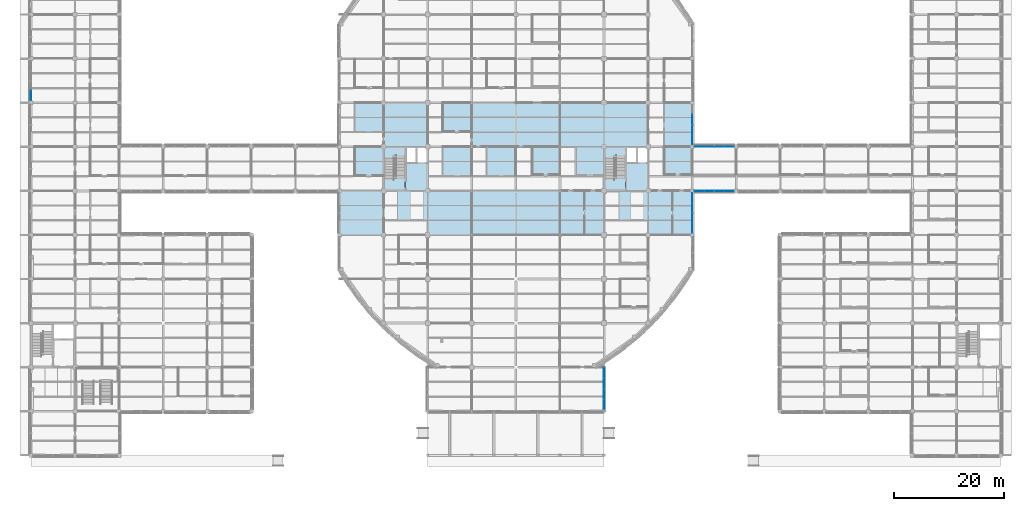
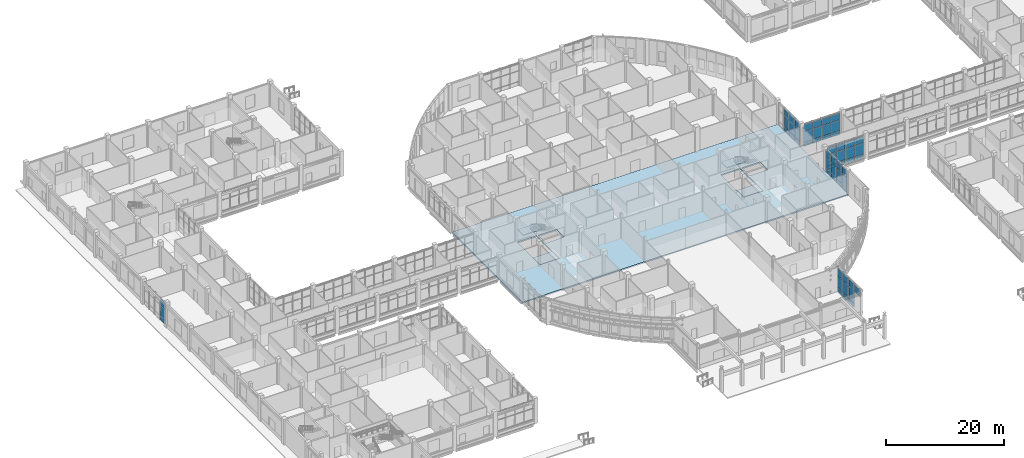
# One storey, part 51 of 105: 58 plates, 5 slabs, 8 elements without a shape of their own.
"""IFC4 building model written with IfcOpenShell, lengths in metres."""

from ifc_helpers import new_model, si_unit, derived_unit, direction, frame, origin, origin_2d, place, context, subcontext, project, spatial, polyline, rectangle, outline, extrude, material, layer, layer_set, type_object, element, aggregate, save


model = new_model("IFC4")

# Units and contexts
model_context = context("Model", 3, precision=1e-05, world=origin(), true_north=direction((0.0, 1.0)))
body_context = subcontext(model_context, "Body", "Model", "MODEL_VIEW")
ifc_project = project(units=[si_unit("LENGTHUNIT", "METRE"), si_unit("AREAUNIT", "SQUARE_METRE"), si_unit("VOLUMEUNIT", "CUBIC_METRE"), si_unit("PLANEANGLEUNIT", "RADIAN"), si_unit("MASSUNIT", "GRAM", prefix="KILO"), derived_unit("THERMALTRANSMITTANCEUNIT", [(si_unit("MASSUNIT", "GRAM", prefix="KILO"), 1), (si_unit("TIMEUNIT", "SECOND"), -3), (si_unit("THERMODYNAMICTEMPERATUREUNIT", "KELVIN"), -1)])], contexts=[model_context])

# Site, building, storey
site_placement = place(None, origin())
site = spatial("IfcSite", under=ifc_project, at=site_placement, CompositionType="ELEMENT")
building_placement = place(site_placement, origin())
building = spatial("IfcBuilding", under=site, at=building_placement, Name="Veyamyaing Civic Hall", CompositionType="ELEMENT")
storey_placement = place(building_placement, origin())
storey = spatial("IfcBuildingStorey", under=building, at=storey_placement, Name="L00", CompositionType="ELEMENT", Elevation=0.0)

# Curtain wall, plates
ifc_material_1 = material(Name="Anodised aluminium 6063-T6", Category="aluminium")
ifc_layer_1 = layer(ifc_material_1, 0.179931640625, Name="Anodised aluminium 6063-T6")
ifc_layer_set_1 = layer_set([ifc_layer_1], Name="Anodised aluminium 6063-T6")
curtain_wall_type_1 = type_object("IfcCurtainWallType", Name="CW-06", PredefinedType="NOTDEFINED", material=ifc_layer_set_1)
curtain_wall_1_placement = place(storey_placement, origin())
curtain_wall_1 = element("IfcCurtainWall", 1, at=curtain_wall_1_placement, inside=storey, type_object=curtain_wall_type_1, Name="Unitized curtain wall CW-06 L00 E 13.2", PredefinedType="NOTDEFINED")
ifc_material_2 = material(Name="Low-E insulated glass", Category="glass")
ifc_layer_2 = layer(ifc_material_2, 0.035888671875, Name="Low-E insulated glass")
ifc_layer_set_2 = layer_set([ifc_layer_2], Name="Low-E insulated glass")
plate_type_1 = type_object("IfcPlateType", Name="CWP-03", PredefinedType="CURTAIN_PANEL", material=ifc_layer_set_2)
plate_1_placement = place(storey_placement, frame((104.0, 9.2119140625, 3.456298828125), z_axis=(0.0, 0.0, 1.0), x_axis=(0.0, 1.0, 0.0)))
plate_1 = element("IfcPlate", 2, at=plate_1_placement, type_object=plate_type_1, Name="CW-06 panel 1.3", PredefinedType="CURTAIN_PANEL", context=body_context, shape_type="SweptSolid", body=[
    extrude(rectangle(XDim=1.8466796875, YDim=0.035888671875, at=origin_2d()), origin(), (0.0, 0.0, 1.0), 1.513671875),
])
plate_2_placement = place(storey_placement, frame((104.0, 11.1396484375, 0.06494140625), z_axis=(0.0, 0.0, 1.0), x_axis=(0.0, 1.0, 0.0)))
plate_2 = element("IfcPlate", 3, at=plate_2_placement, type_object=plate_type_1, Name="CW-06 panel 2.1", PredefinedType="CURTAIN_PANEL", context=body_context, shape_type="SweptSolid", body=[
    extrude(rectangle(XDim=1.879150390625, YDim=0.035888671875, at=origin_2d()), origin(), (0.0, 0.0, 1.0), 0.802490234375),
])
plate_3_placement = place(storey_placement, frame((104.0, 11.1396484375, 0.9326171875), z_axis=(0.0, 0.0, 1.0), x_axis=(0.0, 1.0, 0.0)))
plate_3 = element("IfcPlate", 4, at=plate_3_placement, type_object=plate_type_1, Name="CW-06 panel 2.2", PredefinedType="CURTAIN_PANEL", context=body_context, shape_type="SweptSolid", body=[
    extrude(rectangle(XDim=1.879150390625, YDim=0.035888671875, at=origin_2d()), origin(), (0.0, 0.0, 1.0), 2.458740234375),
])
plate_4_placement = place(storey_placement, frame((104.0, 11.1396484375, 3.456298828125), z_axis=(0.0, 0.0, 1.0), x_axis=(0.0, 1.0, 0.0)))
plate_4 = element("IfcPlate", 5, at=plate_4_placement, type_object=plate_type_1, Name="CW-06 panel 2.3", PredefinedType="CURTAIN_PANEL", context=body_context, shape_type="SweptSolid", body=[
    extrude(rectangle(XDim=1.879150390625, YDim=0.035888671875, at=origin_2d()), origin(), (0.0, 0.0, 1.0), 1.513671875),
])
plate_5_placement = place(storey_placement, frame((104.0, 13.083740234375, 0.06494140625), z_axis=(0.0, 0.0, 1.0), x_axis=(0.0, 1.0, 0.0)))
plate_5 = element("IfcPlate", 6, at=plate_5_placement, type_object=plate_type_1, Name="CW-06 panel 3.1", PredefinedType="CURTAIN_PANEL", context=body_context, shape_type="SweptSolid", body=[
    extrude(rectangle(XDim=1.879150390625, YDim=0.035888671875, at=origin_2d()), origin(), (0.0, 0.0, 1.0), 0.802490234375),
])
plate_6_placement = place(storey_placement, frame((104.0, 13.083740234375, 0.9326171875), z_axis=(0.0, 0.0, 1.0), x_axis=(0.0, 1.0, 0.0)))
plate_6 = element("IfcPlate", 7, at=plate_6_placement, type_object=plate_type_1, Name="CW-06 panel 3.2", PredefinedType="CURTAIN_PANEL", context=body_context, shape_type="SweptSolid", body=[
    extrude(rectangle(XDim=1.879150390625, YDim=0.035888671875, at=origin_2d()), origin(), (0.0, 0.0, 1.0), 2.458740234375),
])
plate_7_placement = place(storey_placement, frame((104.0, 13.083740234375, 3.456298828125), z_axis=(0.0, 0.0, 1.0), x_axis=(0.0, 1.0, 0.0)))
plate_7 = element("IfcPlate", 8, at=plate_7_placement, type_object=plate_type_1, Name="CW-06 panel 3.3", PredefinedType="CURTAIN_PANEL", context=body_context, shape_type="SweptSolid", body=[
    extrude(rectangle(XDim=1.879150390625, YDim=0.035888671875, at=origin_2d()), origin(), (0.0, 0.0, 1.0), 1.513671875),
])
plate_8_placement = place(storey_placement, frame((104.0, 15.01171875, 0.06494140625), z_axis=(0.0, 0.0, 1.0), x_axis=(0.0, 1.0, 0.0)))
plate_8 = element("IfcPlate", 9, at=plate_8_placement, type_object=plate_type_1, Name="CW-06 panel 4.1", PredefinedType="CURTAIN_PANEL", context=body_context, shape_type="SweptSolid", body=[
    extrude(rectangle(XDim=1.8466796875, YDim=0.035888671875, at=origin_2d()), origin(), (0.0, 0.0, 1.0), 0.802490234375),
])
plate_9_placement = place(storey_placement, frame((104.0, 15.01171875, 0.9326171875), z_axis=(0.0, 0.0, 1.0), x_axis=(0.0, 1.0, 0.0)))
plate_9 = element("IfcPlate", 10, at=plate_9_placement, type_object=plate_type_1, Name="CW-06 panel 4.2", PredefinedType="CURTAIN_PANEL", context=body_context, shape_type="SweptSolid", body=[
    extrude(rectangle(XDim=1.8466796875, YDim=0.035888671875, at=origin_2d()), origin(), (0.0, 0.0, 1.0), 2.458740234375),
])
plate_10_placement = place(storey_placement, frame((104.0, 15.01171875, 3.456298828125), z_axis=(0.0, 0.0, 1.0), x_axis=(0.0, 1.0, 0.0)))
plate_10 = element("IfcPlate", 11, at=plate_10_placement, type_object=plate_type_1, Name="CW-06 panel 4.3", PredefinedType="CURTAIN_PANEL", context=body_context, shape_type="SweptSolid", body=[
    extrude(rectangle(XDim=1.8466796875, YDim=0.035888671875, at=origin_2d()), origin(), (0.0, 0.0, 1.0), 1.513671875),
])
aggregate(curtain_wall_1, [plate_1, plate_2, plate_3, plate_4, plate_5, plate_6, plate_7, plate_8, plate_9, plate_10])

curtain_wall_2_placement = place(storey_placement, origin())
curtain_wall_2 = element("IfcCurtainWall", 12, at=curtain_wall_2_placement, inside=storey, type_object=curtain_wall_type_1, Name="Unitized curtain wall CW-06 L00 E 15.6", PredefinedType="NOTDEFINED")
plate_11_placement = place(storey_placement, frame((120.0, 41.30126953125, 0.06494140625), z_axis=(0.0, 0.0, 1.0), x_axis=(0.0, 1.0, 0.0)))
plate_11 = element("IfcPlate", 13, at=plate_11_placement, type_object=plate_type_1, Name="CW-06 panel 1.1", PredefinedType="CURTAIN_PANEL", context=body_context, shape_type="SweptSolid", body=[
    extrude(rectangle(XDim=1.71240234375, YDim=0.035888671875, at=origin_2d()), origin(), (0.0, 0.0, 1.0), 0.802490234375),
])
plate_12_placement = place(storey_placement, frame((120.0, 41.30126953125, 0.932373046875), z_axis=(0.0, 0.0, 1.0), x_axis=(0.0, 1.0, 0.0)))
plate_12 = element("IfcPlate", 14, at=plate_12_placement, type_object=plate_type_1, Name="CW-06 panel 1.2", PredefinedType="CURTAIN_PANEL", context=body_context, shape_type="SweptSolid", body=[
    extrude(rectangle(XDim=1.71240234375, YDim=0.035888671875, at=origin_2d()), origin(), (0.0, 0.0, 1.0), 2.169921875),
])
plate_13_placement = place(storey_placement, frame((120.0, 41.30126953125, 3.16748046875), z_axis=(0.0, 0.0, 1.0), x_axis=(0.0, 1.0, 0.0)))
plate_13 = element("IfcPlate", 15, at=plate_13_placement, type_object=plate_type_1, Name="CW-06 panel 1.3", PredefinedType="CURTAIN_PANEL", context=body_context, shape_type="SweptSolid", body=[
    extrude(rectangle(XDim=1.71240234375, YDim=0.035888671875, at=origin_2d()), origin(), (0.0, 0.0, 1.0), 1.377685546875),
])
plate_14_placement = place(storey_placement, frame((120.0, 43.094970703125, 0.06494140625), z_axis=(0.0, 0.0, 1.0), x_axis=(0.0, 1.0, 0.0)))
plate_14 = element("IfcPlate", 16, at=plate_14_placement, type_object=plate_type_1, Name="CW-06 panel 2.1", PredefinedType="CURTAIN_PANEL", context=body_context, shape_type="SweptSolid", body=[
    extrude(rectangle(XDim=1.7451171875, YDim=0.035888671875, at=origin_2d()), origin(), (0.0, 0.0, 1.0), 0.802490234375),
])
plate_15_placement = place(storey_placement, frame((120.0, 43.094970703125, 0.932373046875), z_axis=(0.0, 0.0, 1.0), x_axis=(0.0, 1.0, 0.0)))
plate_15 = element("IfcPlate", 17, at=plate_15_placement, type_object=plate_type_1, Name="CW-06 panel 2.2", PredefinedType="CURTAIN_PANEL", context=body_context, shape_type="SweptSolid", body=[
    extrude(rectangle(XDim=1.7451171875, YDim=0.035888671875, at=origin_2d()), origin(), (0.0, 0.0, 1.0), 2.169921875),
])
plate_16_placement = place(storey_placement, frame((120.0, 43.094970703125, 3.16748046875), z_axis=(0.0, 0.0, 1.0), x_axis=(0.0, 1.0, 0.0)))
plate_16 = element("IfcPlate", 18, at=plate_16_placement, type_object=plate_type_1, Name="CW-06 panel 2.3", PredefinedType="CURTAIN_PANEL", context=body_context, shape_type="SweptSolid", body=[
    extrude(rectangle(XDim=1.7451171875, YDim=0.035888671875, at=origin_2d()), origin(), (0.0, 0.0, 1.0), 1.377685546875),
])
plate_17_placement = place(storey_placement, frame((120.0, 44.905029296875, 0.06494140625), z_axis=(0.0, 0.0, 1.0), x_axis=(0.0, 1.0, 0.0)))
plate_17 = element("IfcPlate", 19, at=plate_17_placement, type_object=plate_type_1, Name="CW-06 panel 3.1", PredefinedType="CURTAIN_PANEL", context=body_context, shape_type="SweptSolid", body=[
    extrude(rectangle(XDim=1.7451171875, YDim=0.035888671875, at=origin_2d()), origin(), (0.0, 0.0, 1.0), 0.802490234375),
])
plate_18_placement = place(storey_placement, frame((120.0, 44.905029296875, 0.932373046875), z_axis=(0.0, 0.0, 1.0), x_axis=(0.0, 1.0, 0.0)))
plate_18 = element("IfcPlate", 20, at=plate_18_placement, type_object=plate_type_1, Name="CW-06 panel 3.2", PredefinedType="CURTAIN_PANEL", context=body_context, shape_type="SweptSolid", body=[
    extrude(rectangle(XDim=1.7451171875, YDim=0.035888671875, at=origin_2d()), origin(), (0.0, 0.0, 1.0), 2.169921875),
])
plate_19_placement = place(storey_placement, frame((120.0, 44.905029296875, 3.16748046875), z_axis=(0.0, 0.0, 1.0), x_axis=(0.0, 1.0, 0.0)))
plate_19 = element("IfcPlate", 21, at=plate_19_placement, type_object=plate_type_1, Name="CW-06 panel 3.3", PredefinedType="CURTAIN_PANEL", context=body_context, shape_type="SweptSolid", body=[
    extrude(rectangle(XDim=1.7451171875, YDim=0.035888671875, at=origin_2d()), origin(), (0.0, 0.0, 1.0), 1.377685546875),
])
plate_20_placement = place(storey_placement, frame((120.0, 46.69873046875, 0.06494140625), z_axis=(0.0, 0.0, 1.0), x_axis=(0.0, 1.0, 0.0)))
plate_20 = element("IfcPlate", 22, at=plate_20_placement, type_object=plate_type_1, Name="CW-06 panel 4.1", PredefinedType="CURTAIN_PANEL", context=body_context, shape_type="SweptSolid", body=[
    extrude(rectangle(XDim=1.71240234375, YDim=0.035888671875, at=origin_2d()), origin(), (0.0, 0.0, 1.0), 0.802490234375),
])
plate_21_placement = place(storey_placement, frame((120.0, 46.69873046875, 0.932373046875), z_axis=(0.0, 0.0, 1.0), x_axis=(0.0, 1.0, 0.0)))
plate_21 = element("IfcPlate", 23, at=plate_21_placement, type_object=plate_type_1, Name="CW-06 panel 4.2", PredefinedType="CURTAIN_PANEL", context=body_context, shape_type="SweptSolid", body=[
    extrude(rectangle(XDim=1.71240234375, YDim=0.035888671875, at=origin_2d()), origin(), (0.0, 0.0, 1.0), 2.169921875),
])
plate_22_placement = place(storey_placement, frame((120.0, 46.69873046875, 3.16748046875), z_axis=(0.0, 0.0, 1.0), x_axis=(0.0, 1.0, 0.0)))
plate_22 = element("IfcPlate", 24, at=plate_22_placement, type_object=plate_type_1, Name="CW-06 panel 4.3", PredefinedType="CURTAIN_PANEL", context=body_context, shape_type="SweptSolid", body=[
    extrude(rectangle(XDim=1.71240234375, YDim=0.035888671875, at=origin_2d()), origin(), (0.0, 0.0, 1.0), 1.377685546875),
])
aggregate(curtain_wall_2, [plate_11, plate_12, plate_13, plate_14, plate_15, plate_16, plate_17, plate_18, plate_19, plate_20, plate_21, plate_22])

ifc_layer_3 = layer(ifc_material_1, 0.159912109375, Name="Anodised aluminium 6063-T6")
ifc_layer_set_3 = layer_set([ifc_layer_3], Name="Anodised aluminium 6063-T6")
curtain_wall_type_2 = type_object("IfcCurtainWallType", Name="CW-01", PredefinedType="NOTDEFINED", material=ifc_layer_set_3)
curtain_wall_3_placement = place(storey_placement, origin())
curtain_wall_3 = element("IfcCurtainWall", 25, at=curtain_wall_3_placement, inside=storey, type_object=curtain_wall_type_2, Name="Unitized curtain wall CW-01 L00 W 1.9", PredefinedType="NOTDEFINED")
ifc_layer_4 = layer(ifc_material_2, 0.02392578125, Name="Low-E insulated glass")
ifc_layer_set_4 = layer_set([ifc_layer_4], Name="Low-E insulated glass")
plate_type_2 = type_object("IfcPlateType", Name="CWP-04", PredefinedType="CURTAIN_PANEL", material=ifc_layer_set_4)
plate_23_placement = place(storey_placement, frame((0.0, 65.30126953125, 0.06494140625), z_axis=(0.0, 0.0, 1.0), x_axis=(0.0, 1.0, 0.0)))
plate_23 = element("IfcPlate", 26, at=plate_23_placement, type_object=plate_type_2, Name="CW-01 panel 1.1", PredefinedType="CURTAIN_PANEL", context=body_context, shape_type="SweptSolid", body=[
    extrude(rectangle(XDim=1.71240234375, YDim=0.02392578125, at=origin_2d()), origin(), (0.0, 0.0, 1.0), 0.802490234375),
])
plate_24_placement = place(storey_placement, frame((0.0, 65.30126953125, 0.932373046875), z_axis=(0.0, 0.0, 1.0), x_axis=(0.0, 1.0, 0.0)))
plate_24 = element("IfcPlate", 27, at=plate_24_placement, type_object=plate_type_2, Name="CW-01 panel 1.2", PredefinedType="CURTAIN_PANEL", context=body_context, shape_type="SweptSolid", body=[
    extrude(rectangle(XDim=1.71240234375, YDim=0.02392578125, at=origin_2d()), origin(), (0.0, 0.0, 1.0), 2.169921875),
])
plate_25_placement = place(storey_placement, frame((0.0, 65.30126953125, 3.16748046875), z_axis=(0.0, 0.0, 1.0), x_axis=(0.0, 1.0, 0.0)))
plate_25 = element("IfcPlate", 28, at=plate_25_placement, type_object=plate_type_2, Name="CW-01 panel 1.3", PredefinedType="CURTAIN_PANEL", context=body_context, shape_type="SweptSolid", body=[
    extrude(rectangle(XDim=1.71240234375, YDim=0.02392578125, at=origin_2d()), origin(), (0.0, 0.0, 1.0), 1.377685546875),
])
aggregate(curtain_wall_3, [plate_23, plate_24, plate_25])

curtain_wall_4_placement = place(storey_placement, origin())
curtain_wall_4 = element("IfcCurtainWall", 29, at=curtain_wall_4_placement, inside=storey, type_object=curtain_wall_type_1, Name="Unitized curtain wall CW-06 L00 E 15.8", PredefinedType="NOTDEFINED")
ifc_layer_5 = layer(ifc_material_2, 0.0400390625, Name="Low-E insulated glass")
ifc_layer_set_5 = layer_set([ifc_layer_5], Name="Low-E insulated glass")
plate_type_3 = type_object("IfcPlateType", Name="CWP-05", PredefinedType="CURTAIN_PANEL", material=ifc_layer_set_5)
plate_26_placement = place(storey_placement, frame((120.0, 57.30126953125, 0.06494140625), z_axis=(0.0, 0.0, 1.0), x_axis=(0.0, 1.0, 0.0)))
plate_26 = element("IfcPlate", 30, at=plate_26_placement, type_object=plate_type_3, Name="CW-06 panel 1.1", PredefinedType="CURTAIN_PANEL", context=body_context, shape_type="SweptSolid", body=[
    extrude(rectangle(XDim=1.71240234375, YDim=0.0400390625, at=origin_2d()), origin(), (0.0, 0.0, 1.0), 0.802490234375),
])
plate_27_placement = place(storey_placement, frame((120.0, 57.30126953125, 0.9326171875), z_axis=(0.0, 0.0, 1.0), x_axis=(0.0, 1.0, 0.0)))
plate_27 = element("IfcPlate", 31, at=plate_27_placement, type_object=plate_type_3, Name="CW-06 panel 1.2", PredefinedType="CURTAIN_PANEL", context=body_context, shape_type="SweptSolid", body=[
    extrude(rectangle(XDim=1.71240234375, YDim=0.0400390625, at=origin_2d()), origin(), (0.0, 0.0, 1.0), 2.172607421875),
])
plate_28_placement = place(storey_placement, frame((120.0, 57.30126953125, 3.170166015625), z_axis=(0.0, 0.0, 1.0), x_axis=(0.0, 1.0, 0.0)))
plate_28 = element("IfcPlate", 32, at=plate_28_placement, type_object=plate_type_3, Name="CW-06 panel 1.3", PredefinedType="CURTAIN_PANEL", context=body_context, shape_type="SweptSolid", body=[
    extrude(rectangle(XDim=1.71240234375, YDim=0.0400390625, at=origin_2d()), origin(), (0.0, 0.0, 1.0), 1.37890625),
])
plate_29_placement = place(storey_placement, frame((120.0, 59.094970703125, 0.06494140625), z_axis=(0.0, 0.0, 1.0), x_axis=(0.0, 1.0, 0.0)))
plate_29 = element("IfcPlate", 33, at=plate_29_placement, type_object=plate_type_3, Name="CW-06 panel 2.1", PredefinedType="CURTAIN_PANEL", context=body_context, shape_type="SweptSolid", body=[
    extrude(rectangle(XDim=1.7451171875, YDim=0.0400390625, at=origin_2d()), origin(), (0.0, 0.0, 1.0), 0.802490234375),
])
plate_30_placement = place(storey_placement, frame((120.0, 59.094970703125, 0.9326171875), z_axis=(0.0, 0.0, 1.0), x_axis=(0.0, 1.0, 0.0)))
plate_30 = element("IfcPlate", 34, at=plate_30_placement, type_object=plate_type_3, Name="CW-06 panel 2.2", PredefinedType="CURTAIN_PANEL", context=body_context, shape_type="SweptSolid", body=[
    extrude(rectangle(XDim=1.7451171875, YDim=0.0400390625, at=origin_2d()), origin(), (0.0, 0.0, 1.0), 2.172607421875),
])
plate_31_placement = place(storey_placement, frame((120.0, 59.094970703125, 3.170166015625), z_axis=(0.0, 0.0, 1.0), x_axis=(0.0, 1.0, 0.0)))
plate_31 = element("IfcPlate", 35, at=plate_31_placement, type_object=plate_type_3, Name="CW-06 panel 2.3", PredefinedType="CURTAIN_PANEL", context=body_context, shape_type="SweptSolid", body=[
    extrude(rectangle(XDim=1.7451171875, YDim=0.0400390625, at=origin_2d()), origin(), (0.0, 0.0, 1.0), 1.37890625),
])
plate_32_placement = place(storey_placement, frame((120.0, 60.905029296875, 0.06494140625), z_axis=(0.0, 0.0, 1.0), x_axis=(0.0, 1.0, 0.0)))
plate_32 = element("IfcPlate", 36, at=plate_32_placement, type_object=plate_type_3, Name="CW-06 panel 3.1", PredefinedType="CURTAIN_PANEL", context=body_context, shape_type="SweptSolid", body=[
    extrude(rectangle(XDim=1.7451171875, YDim=0.0400390625, at=origin_2d()), origin(), (0.0, 0.0, 1.0), 0.802490234375),
])
plate_33_placement = place(storey_placement, frame((120.0, 60.905029296875, 0.9326171875), z_axis=(0.0, 0.0, 1.0), x_axis=(0.0, 1.0, 0.0)))
plate_33 = element("IfcPlate", 37, at=plate_33_placement, type_object=plate_type_3, Name="CW-06 panel 3.2", PredefinedType="CURTAIN_PANEL", context=body_context, shape_type="SweptSolid", body=[
    extrude(rectangle(XDim=1.7451171875, YDim=0.0400390625, at=origin_2d()), origin(), (0.0, 0.0, 1.0), 2.172607421875),
])
plate_34_placement = place(storey_placement, frame((120.0, 60.905029296875, 3.170166015625), z_axis=(0.0, 0.0, 1.0), x_axis=(0.0, 1.0, 0.0)))
plate_34 = element("IfcPlate", 38, at=plate_34_placement, type_object=plate_type_3, Name="CW-06 panel 3.3", PredefinedType="CURTAIN_PANEL", context=body_context, shape_type="SweptSolid", body=[
    extrude(rectangle(XDim=1.7451171875, YDim=0.0400390625, at=origin_2d()), origin(), (0.0, 0.0, 1.0), 1.37890625),
])
aggregate(curtain_wall_4, [plate_26, plate_27, plate_28, plate_29, plate_30, plate_31, plate_32, plate_33, plate_34])

curtain_wall_5_placement = place(storey_placement, origin())
curtain_wall_5 = element("IfcCurtainWall", 39, at=curtain_wall_5_placement, inside=storey, type_object=curtain_wall_type_2, Name="Unitized curtain wall CW-01 L00 S 16.7", PredefinedType="NOTDEFINED")
plate_35_placement = place(storey_placement, frame((121.30126953125, 48.0, 0.06494140625), z_axis=(0.0, 0.0, 1.0), x_axis=(1.0, 0.0, 0.0)))
plate_35 = element("IfcPlate", 40, at=plate_35_placement, type_object=plate_type_3, Name="CW-01 panel 1.1", PredefinedType="CURTAIN_PANEL", context=body_context, shape_type="SweptSolid", body=[
    extrude(rectangle(XDim=1.71240234375, YDim=0.0400390625, at=origin_2d()), origin(), (0.0, 0.0, 1.0), 0.802490234375),
])
plate_36_placement = place(storey_placement, frame((121.30126953125, 48.0, 0.932373046875), z_axis=(0.0, 0.0, 1.0), x_axis=(1.0, 0.0, 0.0)))
plate_36 = element("IfcPlate", 41, at=plate_36_placement, type_object=plate_type_3, Name="CW-01 panel 1.2", PredefinedType="CURTAIN_PANEL", context=body_context, shape_type="SweptSolid", body=[
    extrude(rectangle(XDim=1.71240234375, YDim=0.0400390625, at=origin_2d()), origin(), (0.0, 0.0, 1.0), 2.21337890625),
])
plate_37_placement = place(storey_placement, frame((121.30126953125, 48.0, 3.2109375), z_axis=(0.0, 0.0, 1.0), x_axis=(1.0, 0.0, 0.0)))
plate_37 = element("IfcPlate", 42, at=plate_37_placement, type_object=plate_type_3, Name="CW-01 panel 1.3", PredefinedType="CURTAIN_PANEL", context=body_context, shape_type="SweptSolid", body=[
    extrude(rectangle(XDim=1.71240234375, YDim=0.0400390625, at=origin_2d()), origin(), (0.0, 0.0, 1.0), 1.398193359375),
])
plate_38_placement = place(storey_placement, frame((123.094970703125, 48.0, 0.06494140625), z_axis=(0.0, 0.0, 1.0), x_axis=(1.0, 0.0, 0.0)))
plate_38 = element("IfcPlate", 43, at=plate_38_placement, type_object=plate_type_3, Name="CW-01 panel 2.1", PredefinedType="CURTAIN_PANEL", context=body_context, shape_type="SweptSolid", body=[
    extrude(rectangle(XDim=1.7451171875, YDim=0.0400390625, at=origin_2d()), origin(), (0.0, 0.0, 1.0), 0.802490234375),
])
plate_39_placement = place(storey_placement, frame((123.094970703125, 48.0, 0.932373046875), z_axis=(0.0, 0.0, 1.0), x_axis=(1.0, 0.0, 0.0)))
plate_39 = element("IfcPlate", 44, at=plate_39_placement, type_object=plate_type_3, Name="CW-01 panel 2.2", PredefinedType="CURTAIN_PANEL", context=body_context, shape_type="SweptSolid", body=[
    extrude(rectangle(XDim=1.7451171875, YDim=0.0400390625, at=origin_2d()), origin(), (0.0, 0.0, 1.0), 2.21337890625),
])
plate_40_placement = place(storey_placement, frame((123.094970703125, 48.0, 3.2109375), z_axis=(0.0, 0.0, 1.0), x_axis=(1.0, 0.0, 0.0)))
plate_40 = element("IfcPlate", 45, at=plate_40_placement, type_object=plate_type_3, Name="CW-01 panel 2.3", PredefinedType="CURTAIN_PANEL", context=body_context, shape_type="SweptSolid", body=[
    extrude(rectangle(XDim=1.7451171875, YDim=0.0400390625, at=origin_2d()), origin(), (0.0, 0.0, 1.0), 1.398193359375),
])
plate_41_placement = place(storey_placement, frame((124.905029296875, 48.0, 0.06494140625), z_axis=(0.0, 0.0, 1.0), x_axis=(1.0, 0.0, 0.0)))
plate_41 = element("IfcPlate", 46, at=plate_41_placement, type_object=plate_type_3, Name="CW-01 panel 3.1", PredefinedType="CURTAIN_PANEL", context=body_context, shape_type="SweptSolid", body=[
    extrude(rectangle(XDim=1.7451171875, YDim=0.0400390625, at=origin_2d()), origin(), (0.0, 0.0, 1.0), 0.802490234375),
])
plate_42_placement = place(storey_placement, frame((124.905029296875, 48.0, 0.932373046875), z_axis=(0.0, 0.0, 1.0), x_axis=(1.0, 0.0, 0.0)))
plate_42 = element("IfcPlate", 47, at=plate_42_placement, type_object=plate_type_3, Name="CW-01 panel 3.2", PredefinedType="CURTAIN_PANEL", context=body_context, shape_type="SweptSolid", body=[
    extrude(rectangle(XDim=1.7451171875, YDim=0.0400390625, at=origin_2d()), origin(), (0.0, 0.0, 1.0), 2.21337890625),
])
plate_43_placement = place(storey_placement, frame((124.905029296875, 48.0, 3.2109375), z_axis=(0.0, 0.0, 1.0), x_axis=(1.0, 0.0, 0.0)))
plate_43 = element("IfcPlate", 48, at=plate_43_placement, type_object=plate_type_3, Name="CW-01 panel 3.3", PredefinedType="CURTAIN_PANEL", context=body_context, shape_type="SweptSolid", body=[
    extrude(rectangle(XDim=1.7451171875, YDim=0.0400390625, at=origin_2d()), origin(), (0.0, 0.0, 1.0), 1.398193359375),
])
plate_44_placement = place(storey_placement, frame((126.69873046875, 48.0, 0.06494140625), z_axis=(0.0, 0.0, 1.0), x_axis=(1.0, 0.0, 0.0)))
plate_44 = element("IfcPlate", 49, at=plate_44_placement, type_object=plate_type_3, Name="CW-01 panel 4.1", PredefinedType="CURTAIN_PANEL", context=body_context, shape_type="SweptSolid", body=[
    extrude(rectangle(XDim=1.71240234375, YDim=0.0400390625, at=origin_2d()), origin(), (0.0, 0.0, 1.0), 0.802490234375),
])
plate_45_placement = place(storey_placement, frame((126.69873046875, 48.0, 0.932373046875), z_axis=(0.0, 0.0, 1.0), x_axis=(1.0, 0.0, 0.0)))
plate_45 = element("IfcPlate", 50, at=plate_45_placement, type_object=plate_type_3, Name="CW-01 panel 4.2", PredefinedType="CURTAIN_PANEL", context=body_context, shape_type="SweptSolid", body=[
    extrude(rectangle(XDim=1.71240234375, YDim=0.0400390625, at=origin_2d()), origin(), (0.0, 0.0, 1.0), 2.21337890625),
])
plate_46_placement = place(storey_placement, frame((126.69873046875, 48.0, 3.2109375), z_axis=(0.0, 0.0, 1.0), x_axis=(1.0, 0.0, 0.0)))
plate_46 = element("IfcPlate", 51, at=plate_46_placement, type_object=plate_type_3, Name="CW-01 panel 4.3", PredefinedType="CURTAIN_PANEL", context=body_context, shape_type="SweptSolid", body=[
    extrude(rectangle(XDim=1.71240234375, YDim=0.0400390625, at=origin_2d()), origin(), (0.0, 0.0, 1.0), 1.398193359375),
])
aggregate(curtain_wall_5, [plate_35, plate_36, plate_37, plate_38, plate_39, plate_40, plate_41, plate_42, plate_43, plate_44, plate_45, plate_46])

curtain_wall_6_placement = place(storey_placement, origin())
curtain_wall_6 = element("IfcCurtainWall", 52, at=curtain_wall_6_placement, inside=storey, type_object=curtain_wall_type_2, Name="Unitized curtain wall CW-01 L00 N 16.7", PredefinedType="NOTDEFINED")
plate_47_placement = place(storey_placement, frame((121.30126953125, 56.0, 0.06494140625), z_axis=(0.0, 0.0, 1.0), x_axis=(1.0, 0.0, 0.0)))
plate_47 = element("IfcPlate", 53, at=plate_47_placement, type_object=plate_type_3, Name="CW-01 panel 1.1", PredefinedType="CURTAIN_PANEL", context=body_context, shape_type="SweptSolid", body=[
    extrude(rectangle(XDim=1.71240234375, YDim=0.0400390625, at=origin_2d()), origin(), (0.0, 0.0, 1.0), 0.802490234375),
])
plate_48_placement = place(storey_placement, frame((121.30126953125, 56.0, 0.9326171875), z_axis=(0.0, 0.0, 1.0), x_axis=(1.0, 0.0, 0.0)))
plate_48 = element("IfcPlate", 54, at=plate_48_placement, type_object=plate_type_3, Name="CW-01 panel 1.2", PredefinedType="CURTAIN_PANEL", context=body_context, shape_type="SweptSolid", body=[
    extrude(rectangle(XDim=1.71240234375, YDim=0.0400390625, at=origin_2d()), origin(), (0.0, 0.0, 1.0), 2.172607421875),
])
plate_49_placement = place(storey_placement, frame((121.30126953125, 56.0, 3.170166015625), z_axis=(0.0, 0.0, 1.0), x_axis=(1.0, 0.0, 0.0)))
plate_49 = element("IfcPlate", 55, at=plate_49_placement, type_object=plate_type_3, Name="CW-01 panel 1.3", PredefinedType="CURTAIN_PANEL", context=body_context, shape_type="SweptSolid", body=[
    extrude(rectangle(XDim=1.71240234375, YDim=0.0400390625, at=origin_2d()), origin(), (0.0, 0.0, 1.0), 1.37890625),
])
plate_50_placement = place(storey_placement, frame((123.094970703125, 56.0, 0.06494140625), z_axis=(0.0, 0.0, 1.0), x_axis=(1.0, 0.0, 0.0)))
plate_50 = element("IfcPlate", 56, at=plate_50_placement, type_object=plate_type_3, Name="CW-01 panel 2.1", PredefinedType="CURTAIN_PANEL", context=body_context, shape_type="SweptSolid", body=[
    extrude(rectangle(XDim=1.7451171875, YDim=0.0400390625, at=origin_2d()), origin(), (0.0, 0.0, 1.0), 0.802490234375),
])
plate_51_placement = place(storey_placement, frame((123.094970703125, 56.0, 0.9326171875), z_axis=(0.0, 0.0, 1.0), x_axis=(1.0, 0.0, 0.0)))
plate_51 = element("IfcPlate", 57, at=plate_51_placement, type_object=plate_type_3, Name="CW-01 panel 2.2", PredefinedType="CURTAIN_PANEL", context=body_context, shape_type="SweptSolid", body=[
    extrude(rectangle(XDim=1.7451171875, YDim=0.0400390625, at=origin_2d()), origin(), (0.0, 0.0, 1.0), 2.172607421875),
])
plate_52_placement = place(storey_placement, frame((123.094970703125, 56.0, 3.170166015625), z_axis=(0.0, 0.0, 1.0), x_axis=(1.0, 0.0, 0.0)))
plate_52 = element("IfcPlate", 58, at=plate_52_placement, type_object=plate_type_3, Name="CW-01 panel 2.3", PredefinedType="CURTAIN_PANEL", context=body_context, shape_type="SweptSolid", body=[
    extrude(rectangle(XDim=1.7451171875, YDim=0.0400390625, at=origin_2d()), origin(), (0.0, 0.0, 1.0), 1.37890625),
])
plate_53_placement = place(storey_placement, frame((124.905029296875, 56.0, 0.06494140625), z_axis=(0.0, 0.0, 1.0), x_axis=(1.0, 0.0, 0.0)))
plate_53 = element("IfcPlate", 59, at=plate_53_placement, type_object=plate_type_3, Name="CW-01 panel 3.1", PredefinedType="CURTAIN_PANEL", context=body_context, shape_type="SweptSolid", body=[
    extrude(rectangle(XDim=1.7451171875, YDim=0.0400390625, at=origin_2d()), origin(), (0.0, 0.0, 1.0), 0.802490234375),
])
plate_54_placement = place(storey_placement, frame((124.905029296875, 56.0, 0.9326171875), z_axis=(0.0, 0.0, 1.0), x_axis=(1.0, 0.0, 0.0)))
plate_54 = element("IfcPlate", 60, at=plate_54_placement, type_object=plate_type_3, Name="CW-01 panel 3.2", PredefinedType="CURTAIN_PANEL", context=body_context, shape_type="SweptSolid", body=[
    extrude(rectangle(XDim=1.7451171875, YDim=0.0400390625, at=origin_2d()), origin(), (0.0, 0.0, 1.0), 2.172607421875),
])
plate_55_placement = place(storey_placement, frame((124.905029296875, 56.0, 3.170166015625), z_axis=(0.0, 0.0, 1.0), x_axis=(1.0, 0.0, 0.0)))
plate_55 = element("IfcPlate", 61, at=plate_55_placement, type_object=plate_type_3, Name="CW-01 panel 3.3", PredefinedType="CURTAIN_PANEL", context=body_context, shape_type="SweptSolid", body=[
    extrude(rectangle(XDim=1.7451171875, YDim=0.0400390625, at=origin_2d()), origin(), (0.0, 0.0, 1.0), 1.37890625),
])
plate_56_placement = place(storey_placement, frame((126.69873046875, 56.0, 0.06494140625), z_axis=(0.0, 0.0, 1.0), x_axis=(1.0, 0.0, 0.0)))
plate_56 = element("IfcPlate", 62, at=plate_56_placement, type_object=plate_type_3, Name="CW-01 panel 4.1", PredefinedType="CURTAIN_PANEL", context=body_context, shape_type="SweptSolid", body=[
    extrude(rectangle(XDim=1.71240234375, YDim=0.0400390625, at=origin_2d()), origin(), (0.0, 0.0, 1.0), 0.802490234375),
])
plate_57_placement = place(storey_placement, frame((126.69873046875, 56.0, 0.9326171875), z_axis=(0.0, 0.0, 1.0), x_axis=(1.0, 0.0, 0.0)))
plate_57 = element("IfcPlate", 63, at=plate_57_placement, type_object=plate_type_3, Name="CW-01 panel 4.2", PredefinedType="CURTAIN_PANEL", context=body_context, shape_type="SweptSolid", body=[
    extrude(rectangle(XDim=1.71240234375, YDim=0.0400390625, at=origin_2d()), origin(), (0.0, 0.0, 1.0), 2.172607421875),
])
plate_58_placement = place(storey_placement, frame((126.69873046875, 56.0, 3.170166015625), z_axis=(0.0, 0.0, 1.0), x_axis=(1.0, 0.0, 0.0)))
plate_58 = element("IfcPlate", 64, at=plate_58_placement, type_object=plate_type_3, Name="CW-01 panel 4.3", PredefinedType="CURTAIN_PANEL", context=body_context, shape_type="SweptSolid", body=[
    extrude(rectangle(XDim=1.71240234375, YDim=0.0400390625, at=origin_2d()), origin(), (0.0, 0.0, 1.0), 1.37890625),
])
aggregate(curtain_wall_6, [plate_47, plate_48, plate_49, plate_50, plate_51, plate_52, plate_53, plate_54, plate_55, plate_56, plate_57, plate_58])

# Slabs
ifc_material_3 = material(Name="Concrete C40/50", Category="concrete")
ifc_layer_6 = layer(ifc_material_3, 0.264892578125, Name="Concrete C40/50")
ifc_layer_set_6 = layer_set([ifc_layer_6], Name="Concrete C40/50")
slab_type_1 = type_object("IfcSlabType", Name="SL-02", PredefinedType="FLOOR", material=ifc_layer_set_6)
slab_1_placement = place(storey_placement, frame((0.0, 0.0, -0.264892578125)))
element("IfcSlab", 65, at=slab_1_placement, inside=storey, type_object=slab_type_1, Name="Floor slab SL-02 L00 V1C.1", PredefinedType="FLOOR", context=body_context, shape_type="SweptSolid", body=[
    extrude(outline(polyline([(56.0, 64.0), (120.0, 64.0), (120.0, 40.0), (56.0, 40.0), (56.0, 64.0)]), holes=[polyline([(67.909912109375, 55.860107421875), (64.139892578125, 55.860107421875), (64.139892578125, 48.139892578125), (67.909912109375, 48.139892578125), (67.909912109375, 55.860107421875)]), polyline([(71.820068359375, 55.820068359375), (68.179931640625, 55.820068359375), (68.179931640625, 53.179931640625), (71.820068359375, 53.179931640625), (71.820068359375, 55.820068359375)]), polyline([(107.909912109375, 55.860107421875), (104.139892578125, 55.860107421875), (104.139892578125, 48.139892578125), (107.909912109375, 48.139892578125), (107.909912109375, 55.860107421875)]), polyline([(111.820068359375, 55.820068359375), (108.179931640625, 55.820068359375), (108.179931640625, 53.179931640625), (111.820068359375, 53.179931640625), (111.820068359375, 55.820068359375)])]), origin(), (0.0, 0.0, 1.0), 0.264892578125),
])
ifc_layer_7 = layer(ifc_material_3, 0.199951171875, Name="Concrete C40/50")
ifc_layer_set_7 = layer_set([ifc_layer_7], Name="Concrete C40/50")
slab_type_2 = type_object("IfcSlabType", Name="SL-16", PredefinedType="FLOOR", material=ifc_layer_set_7)
slab_2_placement = place(storey_placement, frame((0.0, 0.0, -0.199951171875)))
element("IfcSlab", 66, at=slab_2_placement, inside=storey, type_object=slab_type_2, Name="Stair floor landing slab SL-16 ST-05 L00", PredefinedType="FLOOR", context=body_context, shape_type="SweptSolid", body=[
    extrude(outline(polyline([(64.139892578125, 48.139892578125), (67.909912109375, 48.139892578125), (67.909912109375, 50.52001953125), (64.139892578125, 50.52001953125), (64.139892578125, 48.139892578125)])), origin(), (0.0, 0.0, 1.0), 0.199951171875),
])
slab_3_placement = place(storey_placement, frame((0.0, 0.0, -0.199951171875)))
element("IfcSlab", 67, at=slab_3_placement, inside=storey, type_object=slab_type_2, Name="Stair floor landing slab SL-16 ST-06 L00", PredefinedType="FLOOR", context=body_context, shape_type="SweptSolid", body=[
    extrude(outline(polyline([(104.139892578125, 48.139892578125), (107.909912109375, 48.139892578125), (107.909912109375, 50.52001953125), (104.139892578125, 50.52001953125), (104.139892578125, 48.139892578125)])), origin(), (0.0, 0.0, 1.0), 0.199951171875),
])

# Stair, slab
stair_type = type_object("IfcStairType", Name="ST-B", PredefinedType="HALF_TURN_STAIR", material=ifc_material_3)
stair_1_placement = place(storey_placement, origin())
stair_1 = element("IfcStair", 68, at=stair_1_placement, inside=storey, type_object=stair_type, Name="Protected exit stair ST-05 L00", PredefinedType="HALF_TURN_STAIR")
ifc_layer_8 = layer(ifc_material_3, 0.195068359375, Name="Concrete C40/50")
ifc_layer_set_8 = layer_set([ifc_layer_8], Name="Concrete C40/50")
slab_type_3 = type_object("IfcSlabType", Name="SL-LND", PredefinedType="LANDING", material=ifc_layer_set_8)
slab_4_placement = place(storey_placement, frame((0.0, 0.0, 2.445068359375)))
slab_4 = element("IfcSlab", 69, at=slab_4_placement, type_object=slab_type_3, Name="ST-05 landing 1", PredefinedType="LANDING", context=body_context, shape_type="SweptSolid", body=[
    extrude(outline(polyline([(64.139892578125, 53.909912109375), (67.909912109375, 53.909912109375), (67.909912109375, 55.860107421875), (64.139892578125, 55.860107421875), (64.139892578125, 53.909912109375)])), origin(), (0.0, 0.0, 1.0), 0.19482421875),
])
aggregate(stair_1, [slab_4])

stair_2_placement = place(storey_placement, origin())
stair_2 = element("IfcStair", 70, at=stair_2_placement, inside=storey, type_object=stair_type, Name="Protected exit stair ST-06 L00", PredefinedType="HALF_TURN_STAIR")
slab_5_placement = place(storey_placement, frame((0.0, 0.0, 2.445068359375)))
slab_5 = element("IfcSlab", 71, at=slab_5_placement, type_object=slab_type_3, Name="ST-06 landing 1", PredefinedType="LANDING", context=body_context, shape_type="SweptSolid", body=[
    extrude(outline(polyline([(104.139892578125, 53.909912109375), (107.909912109375, 53.909912109375), (107.909912109375, 55.860107421875), (104.139892578125, 55.860107421875), (104.139892578125, 53.909912109375)])), origin(), (0.0, 0.0, 1.0), 0.19482421875),
])
aggregate(stair_2, [slab_5])

save(model, "model.ifc")
